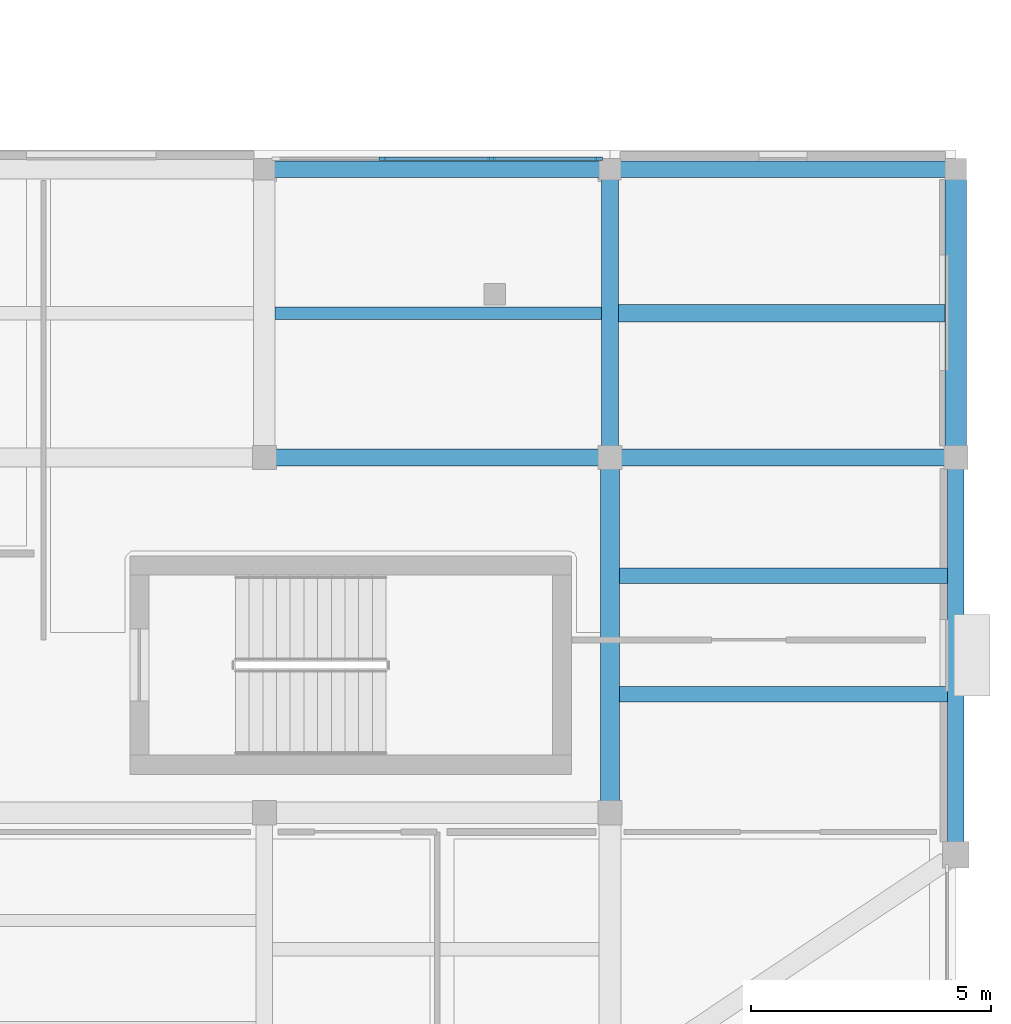
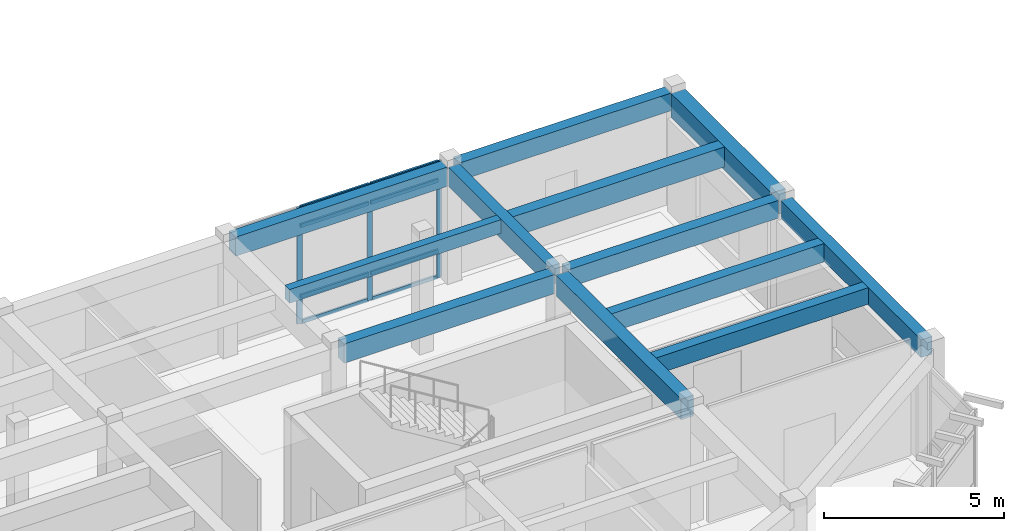
# One storey, part 26 of 60: 12 beams, 11 members, 1 element without a shape of its own.
"""IFC4 building model written with IfcOpenShell, lengths in metres."""

from ifc_helpers import new_model, si_unit, direction, frame, origin, origin_2d, place, context, subcontext, project, spatial, rectangle, extrude, material, layer, layer_set, material_profile, profile_set, type_object, element, aggregate, save


model = new_model("IFC4")

# Units and contexts
model_context = context("Model", 3, precision=1e-05, world=origin(), true_north=direction((0.0, 1.0)))
body_context = subcontext(model_context, "Body", "Model", "MODEL_VIEW")
ifc_project = project(units=[si_unit("LENGTHUNIT", "METRE"), si_unit("AREAUNIT", "SQUARE_METRE"), si_unit("VOLUMEUNIT", "CUBIC_METRE"), si_unit("PLANEANGLEUNIT", "RADIAN"), si_unit("MASSUNIT", "GRAM", prefix="KILO")], contexts=[model_context])

# Site, building, storey
site_placement = place(None, origin())
site = spatial("IfcSite", under=ifc_project, at=site_placement, CompositionType="ELEMENT")
building_placement = place(site_placement, origin())
building = spatial("IfcBuilding", under=site, at=building_placement, Name="Brisavento Harbour Community Centre", CompositionType="ELEMENT")
storey_placement = place(building_placement, frame((0.0, 0.0, 4.5)))
storey = spatial("IfcBuildingStorey", under=building, at=storey_placement, Name="L01", CompositionType="ELEMENT", Elevation=4.5)

# Beams
ifc_material_1 = material(Name="Concrete C35/45", Category="concrete")
ifc_material_profile_1 = material_profile(ifc_material_1, rectangle(XDim=0.260009765625, YDim=0.4599609375, at=origin_2d()), Name="Concrete C35/45")
ifc_profile_set_1 = profile_set([ifc_material_profile_1], Name="Concrete C35/45")
beam_type_1 = type_object("IfcBeamType", Name="BM-JST-260x460", PredefinedType="JOIST", material=ifc_profile_set_1)
beam_1_placement = place(storey_placement, frame((158.625, 25.39990234375, 3.719970703125), z_axis=(1.0, 0.0, 0.0), x_axis=(0.0, 1.0, 0.0)))
element("IfcBeam", 1, at=beam_1_placement, inside=storey, type_object=beam_type_1, Name="L01 secondary floor joist 0280", PredefinedType="JOIST", context=body_context, shape_type="SweptSolid", body=[
    extrude(rectangle(XDim=0.260009765625, YDim=0.4599609375, at=origin_2d()), origin(), (0.0, 0.0, 1.0), 6.800048828125),
])
ifc_material_profile_2 = material_profile(ifc_material_1, rectangle(XDim=0.320068359375, YDim=0.56005859375, at=origin_2d()), Name="Concrete C35/45")
ifc_profile_set_2 = profile_set([ifc_material_profile_2], Name="Concrete C35/45")
beam_type_2 = type_object("IfcBeamType", Name="BM-JST-320x560", PredefinedType="JOIST", material=ifc_profile_set_2)
beam_2_placement = place(storey_placement, frame((165.800048828125, 17.466796875, 3.669921875), z_axis=(1.0, 0.0, 0.0), x_axis=(0.0, 1.0, 0.0)))
element("IfcBeam", 2, at=beam_2_placement, inside=storey, type_object=beam_type_2, Name="L01 secondary floor joist 0281", PredefinedType="JOIST", context=body_context, shape_type="SweptSolid", body=[
    extrude(rectangle(XDim=0.320068359375, YDim=0.56005859375, at=origin_2d()), origin(), (0.0, 0.0, 1.0), 6.824951171875),
])
ifc_material_profile_3 = material_profile(ifc_material_1, rectangle(XDim=0.320068359375, YDim=0.6201171875, at=origin_2d()), Name="Concrete C35/45")
ifc_profile_set_3 = profile_set([ifc_material_profile_3], Name="Concrete C35/45")
beam_type_3 = type_object("IfcBeamType", Name="BM-JST-320x620", PredefinedType="JOIST", material=ifc_profile_set_3)
beam_3_placement = place(storey_placement, frame((165.800048828125, 19.933349609375, 3.639892578125), z_axis=(1.0, 0.0, 0.0), x_axis=(0.0, 1.0, 0.0)))
element("IfcBeam", 3, at=beam_3_placement, inside=storey, type_object=beam_type_3, Name="L01 secondary floor joist 0282", PredefinedType="JOIST", context=body_context, shape_type="SweptSolid", body=[
    extrude(rectangle(XDim=0.320068359375, YDim=0.6201171875, at=origin_2d()), origin(), (0.0, 0.0, 1.0), 6.824951171875),
])
ifc_material_profile_4 = material_profile(ifc_material_1, rectangle(XDim=0.360107421875, YDim=0.679931640625, at=origin_2d()), Name="Concrete C35/45")
ifc_profile_set_4 = profile_set([ifc_material_profile_4], Name="Concrete C35/45")
beam_type_4 = type_object("IfcBeamType", Name="BM-JST-360x680", PredefinedType="JOIST", material=ifc_profile_set_4)
beam_4_placement = place(storey_placement, frame((165.77490234375, 25.39990234375, 3.610107421875), z_axis=(1.0, 0.0, 0.0), x_axis=(0.0, 1.0, 0.0)))
element("IfcBeam", 4, at=beam_4_placement, inside=storey, type_object=beam_type_4, Name="L01 secondary floor joist 0283", PredefinedType="JOIST", context=body_context, shape_type="SweptSolid", body=[
    extrude(rectangle(XDim=0.360107421875, YDim=0.679931640625, at=origin_2d()), origin(), (0.0, 0.0, 1.0), 6.800048828125),
])
ifc_material_profile_5 = material_profile(ifc_material_1, rectangle(XDim=0.35009765625, YDim=0.60009765625, at=origin_2d()), Name="Concrete C35/45")
ifc_profile_set_5 = profile_set([ifc_material_profile_5], Name="Concrete C35/45")
beam_type_5 = type_object("IfcBeamType", Name="BM-RC-350x600", PredefinedType="BEAM", material=ifc_profile_set_5)
beam_5_placement = place(storey_placement, frame((165.820068359375, 22.39990234375, 3.64990234375), z_axis=(1.0, 0.0, 0.0), x_axis=(0.0, 1.0, 0.0)))
element("IfcBeam", 5, at=beam_5_placement, inside=storey, type_object=beam_type_5, Name="L01 primary girder X0424", PredefinedType="BEAM", context=body_context, shape_type="SweptSolid", body=[
    extrude(rectangle(XDim=0.35009765625, YDim=0.60009765625, at=origin_2d()), origin(), (0.0, 0.0, 1.0), 6.760009765625),
])
beam_6_placement = place(storey_placement, frame((165.794921875, 28.39990234375, 3.64990234375), z_axis=(1.0, 0.0, 0.0), x_axis=(0.0, 1.0, 0.0)))
element("IfcBeam", 6, at=beam_6_placement, inside=storey, type_object=beam_type_5, Name="L01 primary girder X0439", PredefinedType="BEAM", context=body_context, shape_type="SweptSolid", body=[
    extrude(rectangle(XDim=0.35009765625, YDim=0.60009765625, at=origin_2d()), origin(), (0.0, 0.0, 1.0), 6.81005859375),
])
beam_7_placement = place(storey_placement, frame((172.800048828125, 14.373046875, 3.64990234375), z_axis=(0.0, 1.0, 0.0), x_axis=(-1.0, 0.0, 0.0)))
element("IfcBeam", 7, at=beam_7_placement, inside=storey, type_object=beam_type_5, Name="L01 primary girder Y0529", PredefinedType="BEAM", context=body_context, shape_type="SweptSolid", body=[
    extrude(rectangle(XDim=0.35009765625, YDim=0.60009765625, at=origin_2d()), origin(), (0.0, 0.0, 1.0), 7.806884765625),
])
ifc_material_profile_6 = material_profile(ifc_material_1, rectangle(XDim=0.35009765625, YDim=0.64990234375, at=origin_2d()), Name="Concrete C35/45")
ifc_profile_set_6 = profile_set([ifc_material_profile_6], Name="Concrete C35/45")
beam_type_6 = type_object("IfcBeamType", Name="BM-RC-350x650", PredefinedType="BEAM", material=ifc_profile_set_6)
beam_8_placement = place(storey_placement, frame((158.6201171875, 22.39990234375, 3.625), z_axis=(1.0, 0.0, 0.0), x_axis=(0.0, 1.0, 0.0)))
element("IfcBeam", 8, at=beam_8_placement, inside=storey, type_object=beam_type_6, Name="L01 primary girder X0423", PredefinedType="BEAM", context=body_context, shape_type="SweptSolid", body=[
    extrude(rectangle(XDim=0.35009765625, YDim=0.64990234375, at=origin_2d()), origin(), (0.0, 0.0, 1.0), 6.759765625),
])
beam_9_placement = place(storey_placement, frame((158.594970703125, 28.39990234375, 3.625), z_axis=(1.0, 0.0, 0.0), x_axis=(0.0, 1.0, 0.0)))
element("IfcBeam", 9, at=beam_9_placement, inside=storey, type_object=beam_type_6, Name="L01 primary girder X0438", PredefinedType="BEAM", context=body_context, shape_type="SweptSolid", body=[
    extrude(rectangle(XDim=0.35009765625, YDim=0.64990234375, at=origin_2d()), origin(), (0.0, 0.0, 1.0), 6.81005859375),
])
beam_10_placement = place(storey_placement, frame((165.60009765625, 22.6201171875, 3.625), z_axis=(0.0, 1.0, 0.0), x_axis=(-1.0, 0.0, 0.0)))
element("IfcBeam", 10, at=beam_10_placement, inside=storey, type_object=beam_type_6, Name="L01 primary girder Y0528", PredefinedType="BEAM", context=body_context, shape_type="SweptSolid", body=[
    extrude(rectangle(XDim=0.35009765625, YDim=0.64990234375, at=origin_2d()), origin(), (0.0, 0.0, 1.0), 5.5849609375),
])
ifc_material_profile_7 = material_profile(ifc_material_1, rectangle(XDim=0.39990234375, YDim=0.699951171875, at=origin_2d()), Name="Concrete C35/45")
ifc_profile_set_7 = profile_set([ifc_material_profile_7], Name="Concrete C35/45")
beam_type_7 = type_object("IfcBeamType", Name="BM-RC-400x700", PredefinedType="BEAM", material=ifc_profile_set_7)
beam_11_placement = place(storey_placement, frame((165.60009765625, 15.219970703125, 3.60009765625), z_axis=(0.0, 1.0, 0.0), x_axis=(-1.0, 0.0, 0.0)))
element("IfcBeam", 11, at=beam_11_placement, inside=storey, type_object=beam_type_7, Name="L01 primary girder Y0527", PredefinedType="BEAM", context=body_context, shape_type="SweptSolid", body=[
    extrude(rectangle(XDim=0.39990234375, YDim=0.699951171875, at=origin_2d()), origin(), (0.0, 0.0, 1.0), 6.9599609375),
])
ifc_material_profile_8 = material_profile(ifc_material_1, rectangle(XDim=0.449951171875, YDim=0.800048828125, at=origin_2d()), Name="Concrete C35/45")
ifc_profile_set_8 = profile_set([ifc_material_profile_8], Name="Concrete C35/45")
beam_type_8 = type_object("IfcBeamType", Name="BM-RC-450x800", PredefinedType="BEAM", material=ifc_profile_set_8)
beam_12_placement = place(storey_placement, frame((172.800048828125, 22.6201171875, 3.550048828125), z_axis=(0.0, 1.0, 0.0), x_axis=(-1.0, 0.0, 0.0)))
element("IfcBeam", 12, at=beam_12_placement, inside=storey, type_object=beam_type_8, Name="L01 primary girder Y0530", PredefinedType="BEAM", context=body_context, shape_type="SweptSolid", body=[
    extrude(rectangle(XDim=0.449951171875, YDim=0.800048828125, at=origin_2d()), origin(), (0.0, 0.0, 1.0), 5.5849609375),
])

# Curtain wall, members
ifc_material_2 = material(Name="Marine-anodised aluminium AW-6063-T6", Category="aluminium")
ifc_layer = layer(ifc_material_2, 0.179931640625, Name="Marine-anodised aluminium AW-6063-T6")
ifc_layer_set = layer_set([ifc_layer], Name="Marine-anodised aluminium AW-6063-T6")
curtain_wall_type = type_object("IfcCurtainWallType", Name="CW-SYS-05", PredefinedType="USERDEFINED", material=ifc_layer_set)
curtain_wall_placement = place(storey_placement, origin())
curtain_wall = element("IfcCurtainWall", 13, at=curtain_wall_placement, inside=storey, type_object=curtain_wall_type, Name="L01 V3 unitised curtain wall 089", ObjectType="UNITISED CURTAIN WALL", PredefinedType="USERDEFINED")
ifc_material_profile_9 = material_profile(ifc_material_2, rectangle(XDim=0.06494140625, YDim=0.1650390625, at=origin_2d()), Name="Marine-anodised aluminium AW-6063-T6")
ifc_profile_set_9 = profile_set([ifc_material_profile_9], Name="Marine-anodised aluminium AW-6063-T6")
member_type_1 = type_object("IfcMemberType", Name="CWM-01", PredefinedType="MULLION", material=ifc_profile_set_9)
member_1_placement = place(storey_placement, frame((160.8701171875, 28.6201171875, 0.0), z_axis=(0.0, 0.0, 1.0), x_axis=(0.0, 1.0, 0.0)))
member_1 = element("IfcMember", 14, at=member_1_placement, type_object=member_type_1, Name="CW-05 mullion 2", PredefinedType="MULLION", context=body_context, shape_type="SweptSolid", body=[
    extrude(rectangle(XDim=0.06494140625, YDim=0.1650390625, at=origin_2d()), origin(), (0.0, 0.0, 1.0), 3.949951171875),
])
member_2_placement = place(storey_placement, frame((163.1298828125, 28.6201171875, 0.0), z_axis=(0.0, 0.0, 1.0), x_axis=(0.0, 1.0, 0.0)))
member_2 = element("IfcMember", 15, at=member_2_placement, type_object=member_type_1, Name="CW-05 mullion 3", PredefinedType="MULLION", context=body_context, shape_type="SweptSolid", body=[
    extrude(rectangle(XDim=0.06494140625, YDim=0.1650390625, at=origin_2d()), origin(), (0.0, 0.0, 1.0), 3.949951171875),
])
member_3_placement = place(storey_placement, frame((165.357421875, 28.6201171875, 0.0), z_axis=(0.0, 0.0, 1.0), x_axis=(0.0, 1.0, 0.0)))
member_3 = element("IfcMember", 16, at=member_3_placement, type_object=member_type_1, Name="CW-05 mullion 4", PredefinedType="MULLION", context=body_context, shape_type="SweptSolid", body=[
    extrude(rectangle(XDim=0.06494140625, YDim=0.1650390625, at=origin_2d()), origin(), (0.0, 0.0, 1.0), 3.949951171875),
])
ifc_material_profile_10 = material_profile(ifc_material_2, rectangle(XDim=0.06494140625, YDim=0.125, at=origin_2d()), Name="Marine-anodised aluminium AW-6063-T6")
ifc_profile_set_10 = profile_set([ifc_material_profile_10], Name="Marine-anodised aluminium AW-6063-T6")
member_type_2 = type_object("IfcMemberType", Name="CWT-01", PredefinedType="USERDEFINED", material=ifc_profile_set_10)
member_4_placement = place(storey_placement, frame((160.902587890625, 28.6201171875, 0.032470703125), z_axis=(1.0, 0.0, 0.0), x_axis=(0.0, 1.0, 0.0)))
member_4 = element("IfcMember", 17, at=member_4_placement, type_object=member_type_2, Name="CW-05 transom 2.1", ObjectType="TRANSOM", PredefinedType="USERDEFINED", context=body_context, shape_type="SweptSolid", body=[
    extrude(rectangle(XDim=0.06494140625, YDim=0.125, at=origin_2d()), origin(), (0.0, 0.0, 1.0), 2.19482421875),
])
member_5_placement = place(storey_placement, frame((160.902587890625, 28.6201171875, 0.89990234375), z_axis=(1.0, 0.0, 0.0), x_axis=(0.0, 1.0, 0.0)))
member_5 = element("IfcMember", 18, at=member_5_placement, type_object=member_type_2, Name="CW-05 transom 2.2", ObjectType="TRANSOM", PredefinedType="USERDEFINED", context=body_context, shape_type="SweptSolid", body=[
    extrude(rectangle(XDim=0.06494140625, YDim=0.125, at=origin_2d()), origin(), (0.0, 0.0, 1.0), 2.19482421875),
])
member_6_placement = place(storey_placement, frame((160.902587890625, 28.6201171875, 3.300048828125), z_axis=(1.0, 0.0, 0.0), x_axis=(0.0, 1.0, 0.0)))
member_6 = element("IfcMember", 19, at=member_6_placement, type_object=member_type_2, Name="CW-05 transom 2.3", ObjectType="TRANSOM", PredefinedType="USERDEFINED", context=body_context, shape_type="SweptSolid", body=[
    extrude(rectangle(XDim=0.06494140625, YDim=0.125, at=origin_2d()), origin(), (0.0, 0.0, 1.0), 2.19482421875),
])
member_7_placement = place(storey_placement, frame((160.902587890625, 28.6201171875, 3.91748046875), z_axis=(1.0, 0.0, 0.0), x_axis=(0.0, 1.0, 0.0)))
member_7 = element("IfcMember", 20, at=member_7_placement, type_object=member_type_2, Name="CW-05 transom 2.4", ObjectType="TRANSOM", PredefinedType="USERDEFINED", context=body_context, shape_type="SweptSolid", body=[
    extrude(rectangle(XDim=0.06494140625, YDim=0.125, at=origin_2d()), origin(), (0.0, 0.0, 1.0), 2.19482421875),
])
member_8_placement = place(storey_placement, frame((163.16259765625, 28.6201171875, 0.032470703125), z_axis=(1.0, 0.0, 0.0), x_axis=(0.0, 1.0, 0.0)))
member_8 = element("IfcMember", 21, at=member_8_placement, type_object=member_type_2, Name="CW-05 transom 3.1", ObjectType="TRANSOM", PredefinedType="USERDEFINED", context=body_context, shape_type="SweptSolid", body=[
    extrude(rectangle(XDim=0.06494140625, YDim=0.125, at=origin_2d()), origin(), (0.0, 0.0, 1.0), 2.162353515625),
])
member_9_placement = place(storey_placement, frame((163.16259765625, 28.6201171875, 0.89990234375), z_axis=(1.0, 0.0, 0.0), x_axis=(0.0, 1.0, 0.0)))
member_9 = element("IfcMember", 22, at=member_9_placement, type_object=member_type_2, Name="CW-05 transom 3.2", ObjectType="TRANSOM", PredefinedType="USERDEFINED", context=body_context, shape_type="SweptSolid", body=[
    extrude(rectangle(XDim=0.06494140625, YDim=0.125, at=origin_2d()), origin(), (0.0, 0.0, 1.0), 2.162353515625),
])
member_10_placement = place(storey_placement, frame((163.16259765625, 28.6201171875, 3.300048828125), z_axis=(1.0, 0.0, 0.0), x_axis=(0.0, 1.0, 0.0)))
member_10 = element("IfcMember", 23, at=member_10_placement, type_object=member_type_2, Name="CW-05 transom 3.3", ObjectType="TRANSOM", PredefinedType="USERDEFINED", context=body_context, shape_type="SweptSolid", body=[
    extrude(rectangle(XDim=0.06494140625, YDim=0.125, at=origin_2d()), origin(), (0.0, 0.0, 1.0), 2.162353515625),
])
member_11_placement = place(storey_placement, frame((163.16259765625, 28.6201171875, 3.91748046875), z_axis=(1.0, 0.0, 0.0), x_axis=(0.0, 1.0, 0.0)))
member_11 = element("IfcMember", 24, at=member_11_placement, type_object=member_type_2, Name="CW-05 transom 3.4", ObjectType="TRANSOM", PredefinedType="USERDEFINED", context=body_context, shape_type="SweptSolid", body=[
    extrude(rectangle(XDim=0.06494140625, YDim=0.125, at=origin_2d()), origin(), (0.0, 0.0, 1.0), 2.162353515625),
])
aggregate(curtain_wall, [member_1, member_2, member_3, member_4, member_5, member_6, member_7, member_8, member_9, member_10, member_11])

save(model, "model.ifc")
